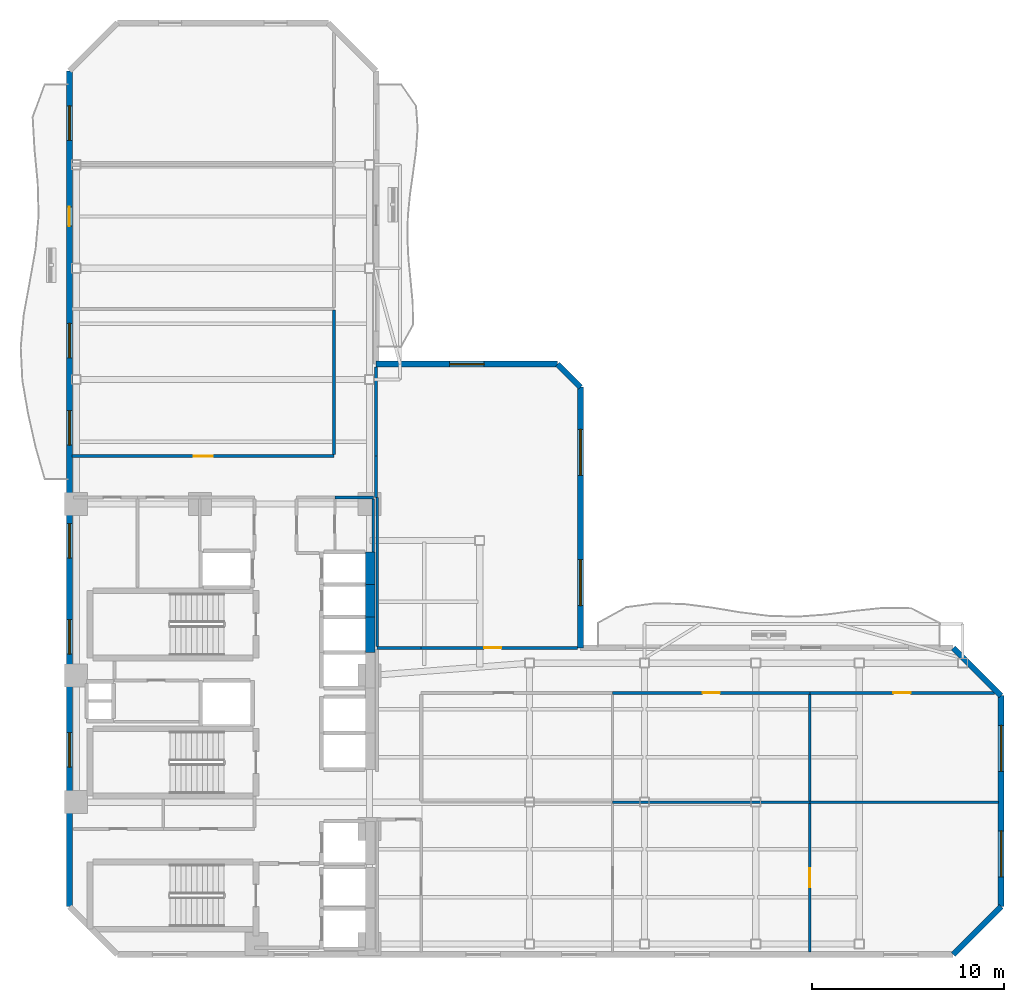
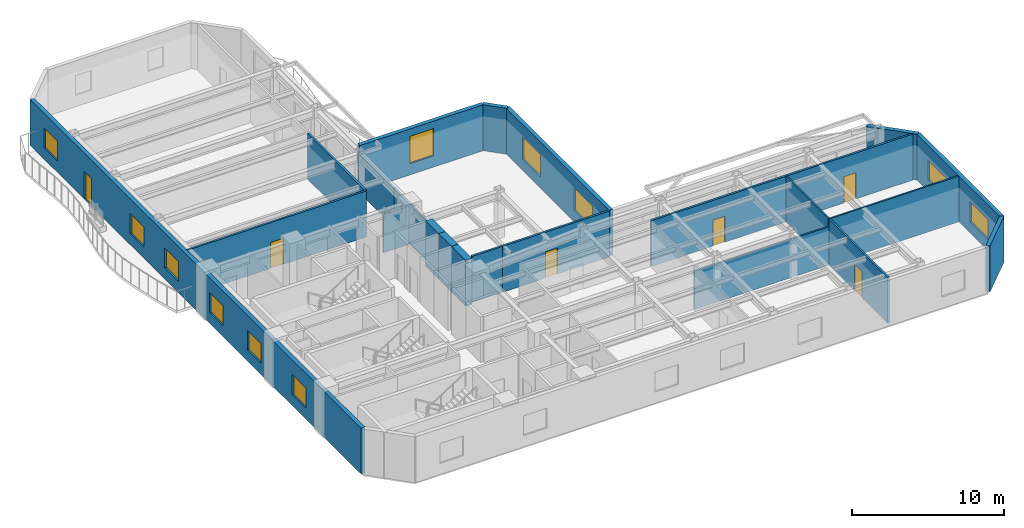
# One storey, part 5 of 9: 25 walls, 11 windows, 6 doors, 17 openings.
"""IFC4 building model written with IfcOpenShell, lengths in metres."""

from ifc_helpers import new_model, si_unit, direction, frame, frame_2d, origin, place, context, subcontext, project, spatial, rectangle, extrude, material, layer, layer_set, type_object, element, fill, save


model = new_model("IFC4")

# Units and contexts
model_context = context("Model", 3, precision=1e-05, world=origin(), true_north=direction((0.0, 1.0)))
body_context = subcontext(model_context, "Body", "Model", "MODEL_VIEW")
ifc_project = project(units=[si_unit("LENGTHUNIT", "METRE"), si_unit("AREAUNIT", "SQUARE_METRE"), si_unit("VOLUMEUNIT", "CUBIC_METRE"), si_unit("PLANEANGLEUNIT", "RADIAN"), si_unit("MASSUNIT", "GRAM", prefix="KILO")], contexts=[model_context])

# Site, building, storey
site_placement = place(None, origin())
site = spatial("IfcSite", under=ifc_project, at=site_placement, CompositionType="ELEMENT")
building_placement = place(site_placement, origin())
building = spatial("IfcBuilding", under=site, at=building_placement, Name="Mawjaban Terraces University", CompositionType="ELEMENT")
storey_placement = place(building_placement, frame((0.0, 0.0, 111.199951171875)))
storey = spatial("IfcBuildingStorey", under=building, at=storey_placement, Name="L26", CompositionType="ELEMENT", Elevation=111.199951171875)

# Walls
ifc_material_1 = material(Name="Concrete C60/75", Category="concrete")
ifc_layer_1 = layer(ifc_material_1, 0.5)
ifc_layer_set_1 = layer_set([ifc_layer_1], Name="Concrete C60/75")
wall_type_1 = type_object("IfcWallType", Name="CoreShearWall_500", PredefinedType="SHEAR", material=ifc_layer_set_1)
wall_1_placement = place(storey_placement, frame((37.699951171875, 15.75, 0.0), z_axis=(0.0, 0.0, 1.0), x_axis=(0.0, 1.0, 0.0)))
element("IfcWall", 1, at=wall_1_placement, inside=storey, type_object=wall_type_1, Name="L26 Lift OL-2 Hoistway Wall East", PredefinedType="SHEAR", context=body_context, shape_type="SweptSolid", body=[
    extrude(rectangle(XDim=1.85009765625, YDim=0.5, at=frame_2d((0.925048828125, 0.0))), origin(), (0.0, 0.0, 1.0), 3.68994140625),
])
for number, where, z_axis, x_axis, name in (
    (2, (37.699951171875, 17.60009765625, 0.0), (0.0, 0.0, 1.0), (0.0, 1.0, 0.0), "L26 Lift PL-M1 Hoistway Wall East"),
    (3, (37.699951171875, 19.300048828125, 0.0), (0.0, 0.0, 1.0), (0.0, 1.0, 0.0), "L26 Lift PL-M2 Hoistway Wall East"),
):
    element("IfcWall", number, at=place(storey_placement, frame(where, z_axis=z_axis, x_axis=x_axis)), inside=storey, type_object=wall_type_1, Name=name, PredefinedType="SHEAR", context=body_context, shape_type="SweptSolid", body=[
        extrude(rectangle(XDim=1.699951171875, YDim=0.5, at=frame_2d((0.85009765625, 0.0))), origin(), (0.0, 0.0, 1.0), 3.68994140625),
    ])

# Wall, opening, door
ifc_material_2 = material(Name="Fire-rated gypsum board on steel stud", Category="steel")
ifc_layer_2 = layer(ifc_material_2, 0.159912109375)
ifc_layer_set_2 = layer_set([ifc_layer_2], Name="Fire-rated gypsum board on steel stud")
wall_type_2 = type_object("IfcWallType", Name="CorridorPartition_160", PredefinedType="PARTITIONING", material=ifc_layer_set_2)
wall_2_placement = place(storey_placement, frame((35.800048828125, 26.0, 0.0), z_axis=(0.0, 0.0, 1.0), x_axis=(-1.0, 0.0, 0.0)))
wall_2 = element("IfcWall", 4, at=wall_2_placement, inside=storey, type_object=wall_type_2, Name="L26 North Core Cross-Corridor Partition 11", PredefinedType="PARTITIONING", context=body_context, shape_type="SweptSolid", body=[
    extrude(rectangle(XDim=13.655029296875, YDim=0.159912109375, at=frame_2d((6.82763671875, 0.0))), origin(), (0.0, 0.0, 1.0), 3.68994140625),
])
opening_1_placement = place(wall_2_placement, frame((6.326904296875, 0.0, 0.0)))
opening_1 = element("IfcOpeningElement", 5, at=opening_1_placement, cuts=wall_2, Name="Opening ID-100", PredefinedType="OPENING", context=body_context, shape_type="SweptSolid", body=[
    extrude(rectangle(XDim=1.0, YDim=2.10009765625, at=frame_2d((0.5, 1.050048828125))), frame((0.0, 0.08984375, 0.0), z_axis=(0.0, -1.0, 0.0), x_axis=(1.0, 0.0, 0.0)), (0.0, 0.0, 1.0), 0.179931640625),
])
ifc_material_3 = material(Name="Powder-coated steel frame and solid acoustic timber leaf", Category="steel")
door_type_1 = type_object("IfcDoorType", Name="ClassroomDoor_1000x2100", OperationType="NOTDEFINED", PredefinedType="DOOR", material=ifc_material_3)
door_1_placement = place(opening_1_placement, origin())
door_1 = element("IfcDoor", 6, at=door_1_placement, inside=storey, type_object=door_type_1, Name="L26 Classroom 8 Door", OperationType="SINGLE_SWING_LEFT", OverallHeight=2.10009765625, OverallWidth=1.0, PredefinedType="DOOR", context=body_context, shape_type="SweptSolid", body=[
    extrude(rectangle(XDim=1.0, YDim=2.10009765625, at=frame_2d((0.5, 1.050048828125))), frame((0.0, 0.02490234375, 0.0), z_axis=(0.0, -1.0, 0.0), x_axis=(1.0, 0.0, 0.0)), (0.0, 0.0, 1.0), 0.050048828125),
])
fill(opening_1, door_1)

# Walls
wall_3_placement = place(storey_placement, frame((37.85009765625, 23.85009765625, 0.0), z_axis=(0.0, 0.0, 1.0), x_axis=(-1.0, 0.0, 0.0)))
element("IfcWall", 7, at=wall_3_placement, inside=storey, type_object=wall_type_2, Name="L26 Faculty Archive Closet Partition 15", PredefinedType="PARTITIONING", context=body_context, shape_type="SweptSolid", body=[
    extrude(rectangle(XDim=2.0, YDim=0.159912109375, at=frame_2d((1.0, 0.0))), origin(), (0.0, 0.0, 1.0), 3.073974609375),
])
wall_4_placement = place(storey_placement, frame((40.35009765625, 16.0, 0.0), z_axis=(0.0, 0.0, 1.0), x_axis=(-1.0, 0.0, 0.0)))
element("IfcWall", 8, at=wall_4_placement, inside=storey, type_object=wall_type_2, Name="L26 Inner Gallery Link Corridor Partition 18", PredefinedType="PARTITIONING", context=body_context, shape_type="SweptSolid", body=[
    extrude(rectangle(XDim=2.300048828125, YDim=0.159912109375, at=frame_2d((1.14990234375, 0.0))), origin(), (0.0, 0.0, 1.0), 3.68994140625),
])

# Wall, opening, door
wall_5_placement = place(storey_placement, frame((40.35009765625, 16.0, 0.0), z_axis=(0.0, 0.0, 1.0), x_axis=(1.0, 0.0, 0.0)))
wall_5 = element("IfcWall", 9, at=wall_5_placement, inside=storey, type_object=wall_type_2, Name="L26 Terrace Collaborative Study Room Partition 19", PredefinedType="PARTITIONING", context=body_context, shape_type="SweptSolid", body=[
    extrude(rectangle(XDim=8.160888671875, YDim=0.159912109375, at=frame_2d((4.08056640625, 0.0))), origin(), (0.0, 0.0, 1.0), 3.68994140625),
])
opening_2_placement = place(wall_5_placement, frame((3.281005859375, 0.0, 0.0)))
opening_2 = element("IfcOpeningElement", 10, at=opening_2_placement, cuts=wall_5, Name="Opening ID-090", PredefinedType="OPENING", context=body_context, shape_type="SweptSolid", body=[
    extrude(rectangle(XDim=0.89990234375, YDim=2.10009765625, at=frame_2d((0.449951171875, 1.050048828125))), frame((0.0, 0.08984375, 0.0), z_axis=(0.0, -1.0, 0.0), x_axis=(1.0, 0.0, 0.0)), (0.0, 0.0, 1.0), 0.179931640625),
])
door_type_2 = type_object("IfcDoorType", Name="OfficeDoor_900x2100", OperationType="NOTDEFINED", PredefinedType="DOOR", material=ifc_material_3)
door_2_placement = place(opening_2_placement, origin())
door_2 = element("IfcDoor", 11, at=door_2_placement, inside=storey, type_object=door_type_2, Name="L26 Terrace Collaborative Study Room Door", OperationType="SINGLE_SWING_RIGHT", OverallHeight=2.10009765625, OverallWidth=0.89990234375, PredefinedType="DOOR", context=body_context, shape_type="SweptSolid", body=[
    extrude(rectangle(XDim=0.89990234375, YDim=2.10009765625, at=frame_2d((0.449951171875, 1.050048828125))), frame((0.0, 0.02490234375, 0.0), z_axis=(0.0, -1.0, 0.0), x_axis=(1.0, 0.0, 0.0)), (0.0, 0.0, 1.0), 0.050048828125),
])
fill(opening_2, door_2)

wall_6_placement = place(storey_placement, frame((50.330078125, 13.64990234375, 0.0), z_axis=(0.0, 0.0, 1.0), x_axis=(1.0, 0.0, 0.0)))
wall_6 = element("IfcWall", 12, at=wall_6_placement, inside=storey, type_object=wall_type_2, Name="L26 Inner Terrace Gallery Corridor East Partition 21", PredefinedType="PARTITIONING", context=body_context, shape_type="SweptSolid", body=[
    extrude(rectangle(XDim=10.2900390625, YDim=0.159912109375, at=frame_2d((5.14501953125, 0.0))), origin(), (0.0, 0.0, 1.0), 3.68994140625),
])
opening_3_placement = place(wall_6_placement, frame((4.695068359375, 0.0, 0.0)))
opening_3 = element("IfcOpeningElement", 13, at=opening_3_placement, cuts=wall_6, Name="Opening ID-090", PredefinedType="OPENING", context=body_context, shape_type="SweptSolid", body=[
    extrude(rectangle(XDim=0.89990234375, YDim=2.10009765625, at=frame_2d((0.449951171875, 1.050048828125))), frame((0.0, 0.08984375, 0.0), z_axis=(0.0, -1.0, 0.0), x_axis=(1.0, 0.0, 0.0)), (0.0, 0.0, 1.0), 0.179931640625),
])
door_3_placement = place(opening_3_placement, origin())
door_3 = element("IfcDoor", 14, at=door_3_placement, inside=storey, type_object=door_type_2, Name="L26 Seminar Room 5 Door", OperationType="SINGLE_SWING_RIGHT", OverallHeight=2.10009765625, OverallWidth=0.89990234375, PredefinedType="DOOR", context=body_context, shape_type="SweptSolid", body=[
    extrude(rectangle(XDim=0.89990234375, YDim=2.10009765625, at=frame_2d((0.449951171875, 1.050048828125))), frame((0.0, 0.02490234375, 0.0), z_axis=(0.0, -1.0, 0.0), x_axis=(1.0, 0.0, 0.0)), (0.0, 0.0, 1.0), 0.050048828125),
])
fill(opening_3, door_3)

wall_7_placement = place(storey_placement, frame((60.6201171875, 13.64990234375, 0.0), z_axis=(0.0, 0.0, 1.0), x_axis=(1.0, 0.0, 0.0)))
wall_7 = element("IfcWall", 15, at=wall_7_placement, inside=storey, type_object=wall_type_2, Name="L26 Inner Terrace Gallery Corridor East Partition 23", PredefinedType="PARTITIONING", context=body_context, shape_type="SweptSolid", body=[
    extrude(rectangle(XDim=9.625, YDim=0.159912109375, at=frame_2d((4.8125, 0.0))), origin(), (0.0, 0.0, 1.0), 3.68994140625),
])
opening_4_placement = place(wall_7_placement, frame((4.363037109375, 0.0, 0.0)))
opening_4 = element("IfcOpeningElement", 16, at=opening_4_placement, cuts=wall_7, Name="Opening ID-090", PredefinedType="OPENING", context=body_context, shape_type="SweptSolid", body=[
    extrude(rectangle(XDim=0.89990234375, YDim=2.10009765625, at=frame_2d((0.449951171875, 1.050048828125))), frame((0.0, 0.08984375, 0.0), z_axis=(0.0, -1.0, 0.0), x_axis=(1.0, 0.0, 0.0)), (0.0, 0.0, 1.0), 0.179931640625),
])
door_4_placement = place(opening_4_placement, origin())
door_4 = element("IfcDoor", 17, at=door_4_placement, inside=storey, type_object=door_type_2, Name="L26 Faculty Office 7 Door", OperationType="SINGLE_SWING_RIGHT", OverallHeight=2.10009765625, OverallWidth=0.89990234375, PredefinedType="DOOR", context=body_context, shape_type="SweptSolid", body=[
    extrude(rectangle(XDim=0.89990234375, YDim=2.10009765625, at=frame_2d((0.449951171875, 1.050048828125))), frame((0.0, 0.02490234375, 0.0), z_axis=(0.0, -1.0, 0.0), x_axis=(1.0, 0.0, 0.0)), (0.0, 0.0, 1.0), 0.050048828125),
])
fill(opening_4, door_4)

# Walls
wall_8_placement = place(storey_placement, frame((35.800048828125, 33.612060546875, 0.0), z_axis=(0.0, 0.0, 1.0), x_axis=(0.0, -1.0, 0.0)))
element("IfcWall", 18, at=wall_8_placement, inside=storey, type_object=wall_type_2, Name="L26 Inner Terrace Gallery Corridor North Partition 32", PredefinedType="PARTITIONING", context=body_context, shape_type="SweptSolid", body=[
    extrude(rectangle(XDim=7.537109375, YDim=0.159912109375, at=frame_2d((3.7685546875, 0.0))), origin(), (0.0, 0.0, 1.0), 3.68994140625),
])
wall_9_placement = place(storey_placement, frame((38.0, 23.85009765625, 0.0), z_axis=(0.0, 0.0, 1.0), x_axis=(0.0, 1.0, 0.0)))
element("IfcWall", 19, at=wall_9_placement, inside=storey, type_object=wall_type_2, Name="L26 North Core Cross-Corridor Partition 37", PredefinedType="PARTITIONING", context=body_context, shape_type="SweptSolid", body=[
    extrude(rectangle(XDim=2.14990234375, YDim=0.159912109375, at=frame_2d((1.074951171875, 0.0))), origin(), (0.0, 0.0, 1.0), 3.073974609375),
])
wall_10_placement = place(storey_placement, frame((38.0, 26.0, 0.0), z_axis=(0.0, 0.0, 1.0), x_axis=(0.0, 1.0, 0.0)))
element("IfcWall", 20, at=wall_10_placement, inside=storey, type_object=wall_type_2, Name="L26 Inner Terrace Gallery Corridor North Partition 38", PredefinedType="PARTITIONING", context=body_context, shape_type="SweptSolid", body=[
    extrude(rectangle(XDim=4.655029296875, YDim=0.159912109375, at=frame_2d((2.32763671875, 0.0))), origin(), (0.0, 0.0, 1.0), 3.073974609375),
])
ifc_material_4 = material(Name="Insulated terracotta rainscreen on concrete backup C40/50", Category="masonry")
ifc_layer_3 = layer(ifc_material_4, 0.300048828125)
ifc_layer_set_3 = layer_set([ifc_layer_3], Name="Insulated terracotta rainscreen on concrete backup C40/50")
wall_type_3 = type_object("IfcWallType", Name="ExtTerracottaWall_300", PredefinedType="SOLIDWALL", material=ifc_layer_set_3)
wall_11_placement = place(storey_placement, frame((68.10009765625, 0.0, 0.0), z_axis=(0.0, 0.0, 1.0), x_axis=(0.707106781187, 0.707106781187, 0.0)))
element("IfcWall", 21, at=wall_11_placement, inside=storey, type_object=wall_type_3, Name="L26 Exterior Terracotta Wall 2", PredefinedType="SOLIDWALL", context=body_context, shape_type="SweptSolid", body=[
    extrude(rectangle(XDim=3.53564453125, YDim=0.300048828125, at=frame_2d((1.767822265625, 0.0))), origin(), (0.0, 0.0, 1.0), 3.68994140625),
])

# Wall, openings, windows
wall_12_placement = place(storey_placement, frame((70.60009765625, 2.5, 0.0), z_axis=(0.0, 0.0, 1.0), x_axis=(0.0, 1.0, 0.0)))
wall_12 = element("IfcWall", 22, at=wall_12_placement, inside=storey, type_object=wall_type_3, Name="L26 Exterior Terracotta Wall 3", PredefinedType="SOLIDWALL", context=body_context, shape_type="SweptSolid", body=[
    extrude(rectangle(XDim=11.0, YDim=0.300048828125, at=frame_2d((5.5, 0.0))), origin(), (0.0, 0.0, 1.0), 3.68994140625),
])
opening_5_placement = place(wall_12_placement, frame((1.550048828125, 0.0, 0.89990234375)))
opening_5 = element("IfcOpeningElement", 23, at=opening_5_placement, cuts=wall_12, Name="Opening W-05", PredefinedType="OPENING", context=body_context, shape_type="SweptSolid", body=[
    extrude(rectangle(XDim=2.39990234375, YDim=1.60009765625, at=frame_2d((1.199951171875, 0.800048828125))), frame((0.0, 0.159912109375, 0.0), z_axis=(0.0, -1.0, 0.0), x_axis=(1.0, 0.0, 0.0)), (0.0, 0.0, 1.0), 0.320068359375),
])
opening_6_placement = place(wall_12_placement, frame((7.050048828125, 0.0, 0.89990234375)))
opening_6 = element("IfcOpeningElement", 24, at=opening_6_placement, cuts=wall_12, Name="Opening W-05", PredefinedType="OPENING", context=body_context, shape_type="SweptSolid", body=[
    extrude(rectangle(XDim=2.39990234375, YDim=1.60009765625, at=frame_2d((1.199951171875, 0.800048828125))), frame((0.0, 0.159912109375, 0.0), z_axis=(0.0, -1.0, 0.0), x_axis=(1.0, 0.0, 0.0)), (0.0, 0.0, 1.0), 0.320068359375),
])
ifc_material_5 = material(Name="Low-E solar-control double glazing in thermally broken aluminium frame", Category="aluminium")
window_type_1 = type_object("IfcWindowType", Name="Win_2400x1600", PartitioningType="SINGLE_PANEL", PredefinedType="WINDOW", material=ifc_material_5)
window_1_placement = place(opening_5_placement, origin())
window_1 = element("IfcWindow", 25, at=window_1_placement, inside=storey, type_object=window_type_1, Name="L26 Facade Window 3.1", OverallHeight=1.60009765625, OverallWidth=2.39990234375, PartitioningType="SINGLE_PANEL", PredefinedType="WINDOW", context=body_context, shape_type="SweptSolid", body=[
    extrude(rectangle(XDim=2.39990234375, YDim=1.60009765625, at=frame_2d((1.199951171875, 0.800048828125))), frame((0.0, 0.030029296875, 0.0), z_axis=(0.0, -1.0, 0.0), x_axis=(1.0, 0.0, 0.0)), (0.0, 0.0, 1.0), 0.06005859375),
])
fill(opening_5, window_1)
window_2_placement = place(opening_6_placement, origin())
window_2 = element("IfcWindow", 26, at=window_2_placement, inside=storey, type_object=window_type_1, Name="L26 Facade Window 3.2", OverallHeight=1.60009765625, OverallWidth=2.39990234375, PartitioningType="SINGLE_PANEL", PredefinedType="WINDOW", context=body_context, shape_type="SweptSolid", body=[
    extrude(rectangle(XDim=2.39990234375, YDim=1.60009765625, at=frame_2d((1.199951171875, 0.800048828125))), frame((0.0, 0.030029296875, 0.0), z_axis=(0.0, -1.0, 0.0), x_axis=(1.0, 0.0, 0.0)), (0.0, 0.0, 1.0), 0.06005859375),
])
fill(opening_6, window_2)

# Wall
wall_13_placement = place(storey_placement, frame((70.60009765625, 13.5, 0.0), z_axis=(0.0, 0.0, 1.0), x_axis=(-0.707106781187, 0.707106781187, 0.0)))
element("IfcWall", 27, at=wall_13_placement, inside=storey, type_object=wall_type_3, Name="L26 Exterior Terracotta Wall 4", PredefinedType="SOLIDWALL", context=body_context, shape_type="SweptSolid", body=[
    extrude(rectangle(XDim=3.53564453125, YDim=0.300048828125, at=frame_2d((1.767822265625, 0.0))), origin(), (0.0, 0.0, 1.0), 3.68994140625),
])

# Wall, openings, windows
wall_14_placement = place(storey_placement, frame((48.656005859375, 16.0, 0.0), z_axis=(0.0, 0.0, 1.0), x_axis=(0.0, 1.0, 0.0)))
wall_14 = element("IfcWall", 28, at=wall_14_placement, inside=storey, type_object=wall_type_3, Name="L26 Exterior Terracotta Wall 6", PredefinedType="SOLIDWALL", context=body_context, shape_type="SweptSolid", body=[
    extrude(rectangle(XDim=13.60009765625, YDim=0.300048828125, at=frame_2d((6.800048828125, 0.0))), origin(), (0.0, 0.0, 1.0), 3.68994140625),
])
opening_7_placement = place(wall_14_placement, frame((2.199951171875, 0.0, 0.89990234375)))
opening_7 = element("IfcOpeningElement", 29, at=opening_7_placement, cuts=wall_14, Name="Opening W-08", PredefinedType="OPENING", context=body_context, shape_type="SweptSolid", body=[
    extrude(rectangle(XDim=2.39990234375, YDim=1.800048828125, at=frame_2d((1.199951171875, 0.89990234375))), frame((0.0, 0.159912109375, 0.0), z_axis=(0.0, -1.0, 0.0), x_axis=(1.0, 0.0, 0.0)), (0.0, 0.0, 1.0), 0.320068359375),
])
opening_8_placement = place(wall_14_placement, frame((9.0, 0.0, 0.89990234375)))
opening_8 = element("IfcOpeningElement", 30, at=opening_8_placement, cuts=wall_14, Name="Opening W-08", PredefinedType="OPENING", context=body_context, shape_type="SweptSolid", body=[
    extrude(rectangle(XDim=2.39990234375, YDim=1.800048828125, at=frame_2d((1.199951171875, 0.89990234375))), frame((0.0, 0.159912109375, 0.0), z_axis=(0.0, -1.0, 0.0), x_axis=(1.0, 0.0, 0.0)), (0.0, 0.0, 1.0), 0.320068359375),
])
window_type_2 = type_object("IfcWindowType", Name="Win_2400x1800", PartitioningType="SINGLE_PANEL", PredefinedType="WINDOW", material=ifc_material_5)
window_3_placement = place(opening_7_placement, origin())
window_3 = element("IfcWindow", 31, at=window_3_placement, inside=storey, type_object=window_type_2, Name="L26 Facade Window 6.1", OverallHeight=1.800048828125, OverallWidth=2.39990234375, PartitioningType="SINGLE_PANEL", PredefinedType="WINDOW", context=body_context, shape_type="SweptSolid", body=[
    extrude(rectangle(XDim=2.39990234375, YDim=1.800048828125, at=frame_2d((1.199951171875, 0.89990234375))), frame((0.0, 0.030029296875, 0.0), z_axis=(0.0, -1.0, 0.0), x_axis=(1.0, 0.0, 0.0)), (0.0, 0.0, 1.0), 0.06005859375),
])
fill(opening_7, window_3)
window_4_placement = place(opening_8_placement, origin())
window_4 = element("IfcWindow", 32, at=window_4_placement, inside=storey, type_object=window_type_2, Name="L26 Facade Window 6.2", OverallHeight=1.800048828125, OverallWidth=2.39990234375, PartitioningType="SINGLE_PANEL", PredefinedType="WINDOW", context=body_context, shape_type="SweptSolid", body=[
    extrude(rectangle(XDim=2.39990234375, YDim=1.800048828125, at=frame_2d((1.199951171875, 0.89990234375))), frame((0.0, 0.030029296875, 0.0), z_axis=(0.0, -1.0, 0.0), x_axis=(1.0, 0.0, 0.0)), (0.0, 0.0, 1.0), 0.06005859375),
])
fill(opening_8, window_4)

# Wall
wall_15_placement = place(storey_placement, frame((48.656005859375, 29.60009765625, 0.0), z_axis=(0.0, 0.0, 1.0), x_axis=(-0.707106781187, 0.707106781187, 0.0)))
element("IfcWall", 33, at=wall_15_placement, inside=storey, type_object=wall_type_3, Name="L26 Exterior Terracotta Wall 7", PredefinedType="SOLIDWALL", context=body_context, shape_type="SweptSolid", body=[
    extrude(rectangle(XDim=1.697021484375, YDim=0.300048828125, at=frame_2d((0.8486328125, 0.0))), origin(), (0.0, 0.0, 1.0), 3.68994140625),
])

# Wall, opening, window
wall_16_placement = place(storey_placement, frame((47.4560546875, 30.800048828125, 0.0), z_axis=(0.0, 0.0, 1.0), x_axis=(-1.0, 0.0, 0.0)))
wall_16 = element("IfcWall", 34, at=wall_16_placement, inside=storey, type_object=wall_type_3, Name="L26 Exterior Terracotta Wall 8", PredefinedType="SOLIDWALL", context=body_context, shape_type="SweptSolid", body=[
    extrude(rectangle(XDim=9.4560546875, YDim=0.300048828125, at=frame_2d((4.72802734375, 0.0))), origin(), (0.0, 0.0, 1.0), 3.68994140625),
])
opening_9_placement = place(wall_16_placement, frame((3.827880859375, 0.0, 0.89990234375)))
opening_9 = element("IfcOpeningElement", 35, at=opening_9_placement, cuts=wall_16, Name="Opening W-10", PredefinedType="OPENING", context=body_context, shape_type="SweptSolid", body=[
    extrude(rectangle(XDim=1.800048828125, YDim=2.199951171875, at=frame_2d((0.89990234375, 1.10009765625))), frame((0.0, 0.159912109375, 0.0), z_axis=(0.0, -1.0, 0.0), x_axis=(1.0, 0.0, 0.0)), (0.0, 0.0, 1.0), 0.320068359375),
])
window_type_3 = type_object("IfcWindowType", Name="Win_1800x2200", PartitioningType="SINGLE_PANEL", PredefinedType="WINDOW", material=ifc_material_5)
window_5_placement = place(opening_9_placement, origin())
window_5 = element("IfcWindow", 36, at=window_5_placement, inside=storey, type_object=window_type_3, Name="L26 Facade Window 8.1", OverallHeight=2.199951171875, OverallWidth=1.800048828125, PartitioningType="SINGLE_PANEL", PredefinedType="WINDOW", context=body_context, shape_type="SweptSolid", body=[
    extrude(rectangle(XDim=1.800048828125, YDim=2.199951171875, at=frame_2d((0.89990234375, 1.10009765625))), frame((0.0, 0.030029296875, 0.0), z_axis=(0.0, -1.0, 0.0), x_axis=(1.0, 0.0, 0.0)), (0.0, 0.0, 1.0), 0.06005859375),
])
fill(opening_9, window_5)

# Wall, openings, door, windows
wall_17_placement = place(storey_placement, frame((22.0, 46.10009765625, 0.0), z_axis=(0.0, 0.0, 1.0), x_axis=(0.0, -1.0, 0.0)))
wall_17 = element("IfcWall", 37, at=wall_17_placement, inside=storey, type_object=wall_type_3, Name="L26 Exterior Terracotta Wall 13", PredefinedType="SOLIDWALL", context=body_context, shape_type="SweptSolid", body=[
    extrude(rectangle(XDim=43.60009765625, YDim=0.300048828125, at=frame_2d((21.800048828125, 0.0))), origin(), (0.0, 0.0, 1.0), 3.68994140625),
])
opening_10_placement = place(wall_17_placement, frame((7.10009765625, 0.0, 0.0)))
opening_10 = element("IfcOpeningElement", 38, at=opening_10_placement, cuts=wall_17, Name="Opening BD-100", PredefinedType="OPENING", context=body_context, shape_type="SweptSolid", body=[
    extrude(rectangle(XDim=1.0, YDim=2.199951171875, at=frame_2d((0.5, 1.10009765625))), frame((0.0, 0.159912109375, 0.0), z_axis=(0.0, -1.0, 0.0), x_axis=(1.0, 0.0, 0.0)), (0.0, 0.0, 1.0), 0.320068359375),
])
opening_11_placement = place(wall_17_placement, frame((1.824951171875, 0.0, 0.89990234375)))
opening_11 = element("IfcOpeningElement", 39, at=opening_11_placement, cuts=wall_17, Name="Opening W-03", PredefinedType="OPENING", context=body_context, shape_type="SweptSolid", body=[
    extrude(rectangle(XDim=1.800048828125, YDim=1.60009765625, at=frame_2d((0.89990234375, 0.800048828125))), frame((0.0, 0.159912109375, 0.0), z_axis=(0.0, -1.0, 0.0), x_axis=(1.0, 0.0, 0.0)), (0.0, 0.0, 1.0), 0.320068359375),
])
opening_12_placement = place(wall_17_placement, frame((13.175048828125, 0.0, 0.89990234375)))
opening_12 = element("IfcOpeningElement", 40, at=opening_12_placement, cuts=wall_17, Name="Opening W-03", PredefinedType="OPENING", context=body_context, shape_type="SweptSolid", body=[
    extrude(rectangle(XDim=1.800048828125, YDim=1.60009765625, at=frame_2d((0.89990234375, 0.800048828125))), frame((0.0, 0.159912109375, 0.0), z_axis=(0.0, -1.0, 0.0), x_axis=(1.0, 0.0, 0.0)), (0.0, 0.0, 1.0), 0.320068359375),
])
opening_13_placement = place(wall_17_placement, frame((17.72509765625, 0.0, 0.89990234375)))
opening_13 = element("IfcOpeningElement", 41, at=opening_13_placement, cuts=wall_17, Name="Opening W-03", PredefinedType="OPENING", context=body_context, shape_type="SweptSolid", body=[
    extrude(rectangle(XDim=1.800048828125, YDim=1.60009765625, at=frame_2d((0.89990234375, 0.800048828125))), frame((0.0, 0.159912109375, 0.0), z_axis=(0.0, -1.0, 0.0), x_axis=(1.0, 0.0, 0.0)), (0.0, 0.0, 1.0), 0.320068359375),
])
opening_14_placement = place(wall_17_placement, frame((23.625, 0.0, 0.89990234375)))
opening_14 = element("IfcOpeningElement", 42, at=opening_14_placement, cuts=wall_17, Name="Opening W-03", PredefinedType="OPENING", context=body_context, shape_type="SweptSolid", body=[
    extrude(rectangle(XDim=1.800048828125, YDim=1.60009765625, at=frame_2d((0.89990234375, 0.800048828125))), frame((0.0, 0.159912109375, 0.0), z_axis=(0.0, -1.0, 0.0), x_axis=(1.0, 0.0, 0.0)), (0.0, 0.0, 1.0), 0.320068359375),
])
opening_15_placement = place(wall_17_placement, frame((28.625, 0.0, 0.89990234375)))
opening_15 = element("IfcOpeningElement", 43, at=opening_15_placement, cuts=wall_17, Name="Opening W-03", PredefinedType="OPENING", context=body_context, shape_type="SweptSolid", body=[
    extrude(rectangle(XDim=1.800048828125, YDim=1.60009765625, at=frame_2d((0.89990234375, 0.800048828125))), frame((0.0, 0.159912109375, 0.0), z_axis=(0.0, -1.0, 0.0), x_axis=(1.0, 0.0, 0.0)), (0.0, 0.0, 1.0), 0.320068359375),
])
opening_16_placement = place(wall_17_placement, frame((34.52490234375, 0.0, 0.89990234375)))
opening_16 = element("IfcOpeningElement", 44, at=opening_16_placement, cuts=wall_17, Name="Opening W-03", PredefinedType="OPENING", context=body_context, shape_type="SweptSolid", body=[
    extrude(rectangle(XDim=1.800048828125, YDim=1.60009765625, at=frame_2d((0.89990234375, 0.800048828125))), frame((0.0, 0.159912109375, 0.0), z_axis=(0.0, -1.0, 0.0), x_axis=(1.0, 0.0, 0.0)), (0.0, 0.0, 1.0), 0.320068359375),
])
ifc_material_6 = material(Name="Thermally broken anodised aluminium and laminated safety glass", Category="aluminium")
door_type_3 = type_object("IfcDoorType", Name="BalconyGlazedDoor_1000x2200", OperationType="NOTDEFINED", PredefinedType="DOOR", material=ifc_material_6)
door_5_placement = place(opening_10_placement, origin())
door_5 = element("IfcDoor", 45, at=door_5_placement, inside=storey, type_object=door_type_3, Name="L26 Balcony Access Door west", OperationType="SINGLE_SWING_LEFT", OverallHeight=2.199951171875, OverallWidth=1.0, PredefinedType="DOOR", context=body_context, shape_type="SweptSolid", body=[
    extrude(rectangle(XDim=1.0, YDim=2.199951171875, at=frame_2d((0.5, 1.10009765625))), frame((0.0, 0.02490234375, 0.0), z_axis=(0.0, -1.0, 0.0), x_axis=(1.0, 0.0, 0.0)), (0.0, 0.0, 1.0), 0.050048828125),
])
fill(opening_10, door_5)
window_type_4 = type_object("IfcWindowType", Name="Win_1800x1600", PartitioningType="SINGLE_PANEL", PredefinedType="WINDOW", material=ifc_material_5)
window_6_placement = place(opening_11_placement, origin())
window_6 = element("IfcWindow", 46, at=window_6_placement, inside=storey, type_object=window_type_4, Name="L26 Facade Window 13.1", OverallHeight=1.60009765625, OverallWidth=1.800048828125, PartitioningType="SINGLE_PANEL", PredefinedType="WINDOW", context=body_context, shape_type="SweptSolid", body=[
    extrude(rectangle(XDim=1.800048828125, YDim=1.60009765625, at=frame_2d((0.89990234375, 0.800048828125))), frame((0.0, 0.030029296875, 0.0), z_axis=(0.0, -1.0, 0.0), x_axis=(1.0, 0.0, 0.0)), (0.0, 0.0, 1.0), 0.06005859375),
])
fill(opening_11, window_6)
window_7_placement = place(opening_12_placement, origin())
window_7 = element("IfcWindow", 47, at=window_7_placement, inside=storey, type_object=window_type_4, Name="L26 Facade Window 13.3", OverallHeight=1.60009765625, OverallWidth=1.800048828125, PartitioningType="SINGLE_PANEL", PredefinedType="WINDOW", context=body_context, shape_type="SweptSolid", body=[
    extrude(rectangle(XDim=1.800048828125, YDim=1.60009765625, at=frame_2d((0.89990234375, 0.800048828125))), frame((0.0, 0.030029296875, 0.0), z_axis=(0.0, -1.0, 0.0), x_axis=(1.0, 0.0, 0.0)), (0.0, 0.0, 1.0), 0.06005859375),
])
fill(opening_12, window_7)
window_8_placement = place(opening_13_placement, origin())
window_8 = element("IfcWindow", 48, at=window_8_placement, inside=storey, type_object=window_type_4, Name="L26 Facade Window 13.4", OverallHeight=1.60009765625, OverallWidth=1.800048828125, PartitioningType="SINGLE_PANEL", PredefinedType="WINDOW", context=body_context, shape_type="SweptSolid", body=[
    extrude(rectangle(XDim=1.800048828125, YDim=1.60009765625, at=frame_2d((0.89990234375, 0.800048828125))), frame((0.0, 0.030029296875, 0.0), z_axis=(0.0, -1.0, 0.0), x_axis=(1.0, 0.0, 0.0)), (0.0, 0.0, 1.0), 0.06005859375),
])
fill(opening_13, window_8)
window_9_placement = place(opening_14_placement, origin())
window_9 = element("IfcWindow", 49, at=window_9_placement, inside=storey, type_object=window_type_4, Name="L26 Facade Window 13.5", OverallHeight=1.60009765625, OverallWidth=1.800048828125, PartitioningType="SINGLE_PANEL", PredefinedType="WINDOW", context=body_context, shape_type="SweptSolid", body=[
    extrude(rectangle(XDim=1.800048828125, YDim=1.60009765625, at=frame_2d((0.89990234375, 0.800048828125))), frame((0.0, 0.030029296875, 0.0), z_axis=(0.0, -1.0, 0.0), x_axis=(1.0, 0.0, 0.0)), (0.0, 0.0, 1.0), 0.06005859375),
])
fill(opening_14, window_9)
window_10_placement = place(opening_15_placement, origin())
window_10 = element("IfcWindow", 50, at=window_10_placement, inside=storey, type_object=window_type_4, Name="L26 Facade Window 13.6", OverallHeight=1.60009765625, OverallWidth=1.800048828125, PartitioningType="SINGLE_PANEL", PredefinedType="WINDOW", context=body_context, shape_type="SweptSolid", body=[
    extrude(rectangle(XDim=1.800048828125, YDim=1.60009765625, at=frame_2d((0.89990234375, 0.800048828125))), frame((0.0, 0.030029296875, 0.0), z_axis=(0.0, -1.0, 0.0), x_axis=(1.0, 0.0, 0.0)), (0.0, 0.0, 1.0), 0.06005859375),
])
fill(opening_15, window_10)
window_11_placement = place(opening_16_placement, origin())
window_11 = element("IfcWindow", 51, at=window_11_placement, inside=storey, type_object=window_type_4, Name="L26 Facade Window 13.7", OverallHeight=1.60009765625, OverallWidth=1.800048828125, PartitioningType="SINGLE_PANEL", PredefinedType="WINDOW", context=body_context, shape_type="SweptSolid", body=[
    extrude(rectangle(XDim=1.800048828125, YDim=1.60009765625, at=frame_2d((0.89990234375, 0.800048828125))), frame((0.0, 0.030029296875, 0.0), z_axis=(0.0, -1.0, 0.0), x_axis=(1.0, 0.0, 0.0)), (0.0, 0.0, 1.0), 0.06005859375),
])
fill(opening_16, window_11)

# Wall
ifc_material_7 = material(Name="Moisture-resistant gypsum board on steel stud", Category="steel")
ifc_layer_4 = layer(ifc_material_7, 0.14501953125)
ifc_layer_set_4 = layer_set([ifc_layer_4], Name="Moisture-resistant gypsum board on steel stud")
wall_type_4 = type_object("IfcWallType", Name="LabPartition_145", PredefinedType="PARTITIONING", material=ifc_layer_set_4)
wall_18_placement = place(storey_placement, frame((60.6201171875, 7.949951171875, 0.0), z_axis=(0.0, 0.0, 1.0), x_axis=(-1.0, 0.0, 0.0)))
element("IfcWall", 52, at=wall_18_placement, inside=storey, type_object=wall_type_4, Name="L26 Teaching Laboratory 4 Partition 22", PredefinedType="PARTITIONING", context=body_context, shape_type="SweptSolid", body=[
    extrude(rectangle(XDim=10.2900390625, YDim=0.14501953125, at=frame_2d((5.14501953125, 0.0))), origin(), (0.0, 0.0, 1.0), 3.073974609375),
])

# Wall, opening, door
wall_19_placement = place(storey_placement, frame((60.6201171875, 0.14501953125, 0.0), z_axis=(0.0, 0.0, 1.0), x_axis=(0.0, 1.0, 0.0)))
wall_19 = element("IfcWall", 53, at=wall_19_placement, inside=storey, type_object=wall_type_4, Name="L26 Teaching Laboratory 4 Partition 46", PredefinedType="PARTITIONING", context=body_context, shape_type="SweptSolid", body=[
    extrude(rectangle(XDim=7.738037109375, YDim=0.14501953125, at=frame_2d((3.869140625, 0.0))), origin(), (0.0, 0.0, 1.0), 3.68994140625),
])
opening_17_placement = place(wall_19_placement, frame((3.368896484375, 0.0, 0.0)))
opening_17 = element("IfcOpeningElement", 54, at=opening_17_placement, cuts=wall_19, Name="Opening ID-100", PredefinedType="OPENING", context=body_context, shape_type="SweptSolid", body=[
    extrude(rectangle(XDim=1.0, YDim=2.10009765625, at=frame_2d((0.5, 1.050048828125))), frame((0.0, 0.08251953125, 0.0), z_axis=(0.0, -1.0, 0.0), x_axis=(1.0, 0.0, 0.0)), (0.0, 0.0, 1.0), 0.1650390625),
])
door_6_placement = place(opening_17_placement, origin())
door_6 = element("IfcDoor", 55, at=door_6_placement, inside=storey, type_object=door_type_1, Name="L26 Classroom 6 Door", OperationType="SINGLE_SWING_LEFT", OverallHeight=2.10009765625, OverallWidth=1.0, PredefinedType="DOOR", context=body_context, shape_type="SweptSolid", body=[
    extrude(rectangle(XDim=1.0, YDim=2.10009765625, at=frame_2d((0.5, 1.050048828125))), frame((0.0, 0.02490234375, 0.0), z_axis=(0.0, -1.0, 0.0), x_axis=(1.0, 0.0, 0.0)), (0.0, 0.0, 1.0), 0.050048828125),
])
fill(opening_17, door_6)

# Walls
ifc_material_8 = material(Name="Gypsum plasterboard on steel stud", Category="steel")
ifc_layer_5 = layer(ifc_material_8, 0.125)
ifc_layer_set_5 = layer_set([ifc_layer_5], Name="Gypsum plasterboard on steel stud")
wall_type_5 = type_object("IfcWallType", Name="OfficePartition_125", PredefinedType="PARTITIONING", material=ifc_layer_set_5)
wall_20_placement = place(storey_placement, frame((70.455078125, 7.949951171875, 0.0), z_axis=(0.0, 0.0, 1.0), x_axis=(-1.0, 0.0, 0.0)))
element("IfcWall", 56, at=wall_20_placement, inside=storey, type_object=wall_type_5, Name="L26 Classroom 6 Partition 24", PredefinedType="PARTITIONING", context=body_context, shape_type="SweptSolid", body=[
    extrude(rectangle(XDim=9.8349609375, YDim=0.125, at=frame_2d((4.91748046875, 0.0))), origin(), (0.0, 0.0, 1.0), 3.68994140625),
])
wall_21_placement = place(storey_placement, frame((37.85009765625, 21.0, 0.0), z_axis=(0.0, 0.0, 1.0), x_axis=(0.0, 1.0, 0.0)))
element("IfcWall", 57, at=wall_21_placement, inside=storey, type_object=wall_type_5, Name="L26 Faculty Archive Closet Partition 36", PredefinedType="PARTITIONING", context=body_context, shape_type="SweptSolid", body=[
    extrude(rectangle(XDim=2.77490234375, YDim=0.125, at=frame_2d((1.387451171875, 0.0))), origin(), (0.0, 0.0, 1.0), 3.073974609375),
])
wall_22_placement = place(storey_placement, frame((38.050048828125, 23.85009765625, 0.0), z_axis=(0.0, 0.0, 1.0), x_axis=(0.0, -1.0, 0.0)))
element("IfcWall", 58, at=wall_22_placement, inside=storey, type_object=wall_type_5, Name="L26 Terrace Collaborative Study Room Partition 41", PredefinedType="PARTITIONING", context=body_context, shape_type="SweptSolid", body=[
    extrude(rectangle(XDim=7.775146484375, YDim=0.125, at=frame_2d((3.8876953125, 0.0))), origin(), (0.0, 0.0, 1.0), 3.073974609375),
])
wall_23_placement = place(storey_placement, frame((60.6201171875, 8.01806640625, 0.0), z_axis=(0.0, 0.0, 1.0), x_axis=(0.0, 1.0, 0.0)))
element("IfcWall", 59, at=wall_23_placement, inside=storey, type_object=wall_type_5, Name="L26 Seminar Room 5 Partition 47", PredefinedType="PARTITIONING", context=body_context, shape_type="SweptSolid", body=[
    extrude(rectangle(XDim=5.556884765625, YDim=0.125, at=frame_2d((2.7783203125, 0.0))), origin(), (0.0, 0.0, 1.0), 3.68994140625),
])

save(model, "model.ifc")
